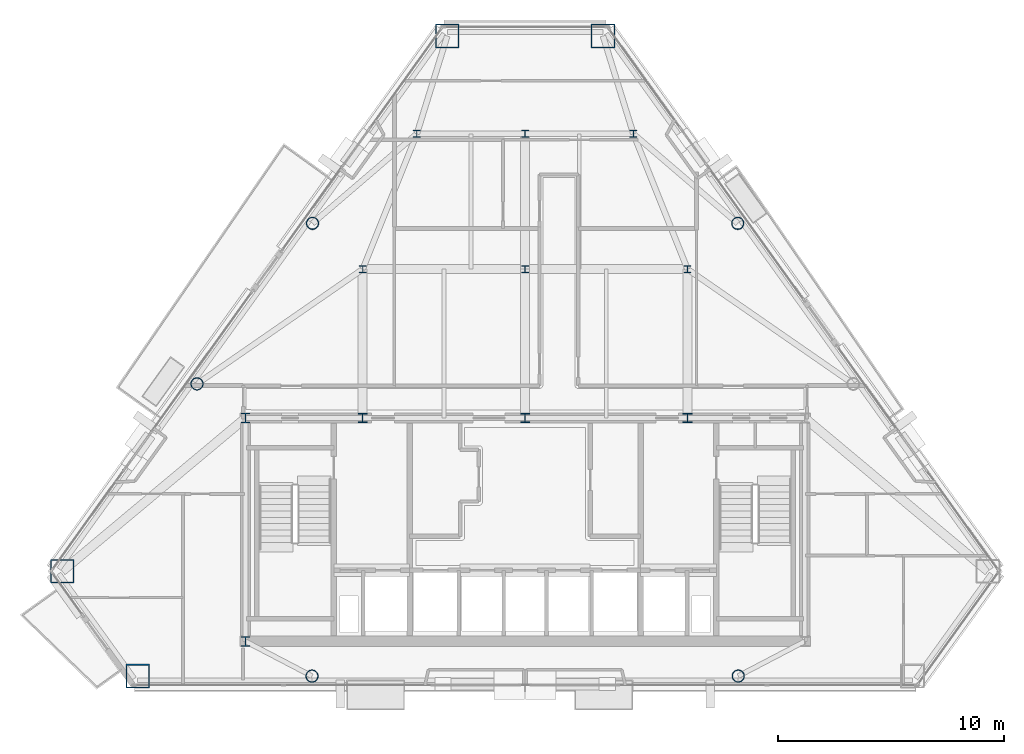
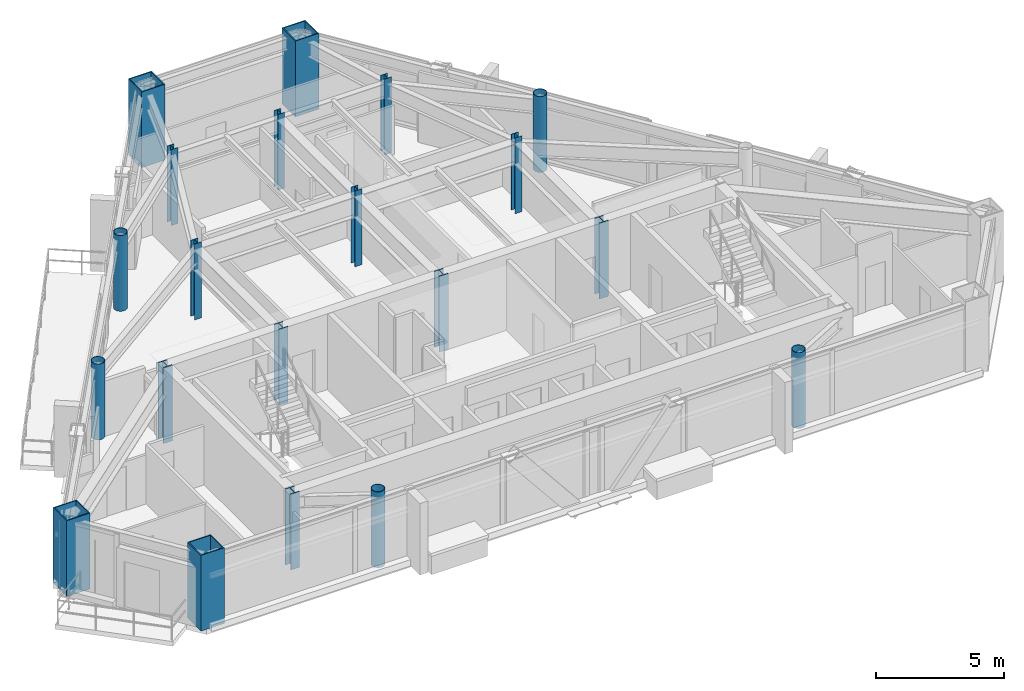
# One storey, part 1 of 12: 20 columns.
"""IFC4 building model written with IfcOpenShell, lengths in metres."""

from ifc_helpers import new_model, si_unit, direction, frame, origin, origin_2d, place, context, subcontext, project, spatial, hollow_rectangle, hollow_circle, i_section, extrude, material, material_profile, profile_set, type_object, element, save


model = new_model("IFC4")

# Units and contexts
model_context = context("Model", 3, precision=1e-05, world=origin(), true_north=direction((0.0, 1.0)))
body_context = subcontext(model_context, "Body", "Model", "MODEL_VIEW")
ifc_project = project(units=[si_unit("LENGTHUNIT", "METRE"), si_unit("AREAUNIT", "SQUARE_METRE"), si_unit("VOLUMEUNIT", "CUBIC_METRE"), si_unit("PLANEANGLEUNIT", "RADIAN"), si_unit("MASSUNIT", "GRAM", prefix="KILO")], contexts=[model_context])

# Site, building, storey
site_placement = place(None, origin())
site = spatial("IfcSite", under=ifc_project, at=site_placement, CompositionType="ELEMENT")
building_placement = place(site_placement, origin())
building = spatial("IfcBuilding", under=site, at=building_placement, Name="Talgorran Terracotta Tower", CompositionType="ELEMENT")
storey_placement = place(building_placement, frame((0.0, 0.0, 189.300048828125)))
storey = spatial("IfcBuildingStorey", under=building, at=storey_placement, Name="L49", CompositionType="ELEMENT", Elevation=189.300048828125)

# Columns
ifc_material_1 = material(Name="Steel S355 (300PLUS)", Category="steel")
ifc_material_profile_1 = material_profile(ifc_material_1, i_section(OverallWidth=0.306884765625, OverallDepth=0.314453125, WebThickness=0.011962890625, FlangeThickness=0.018798828125, at=origin_2d()), Name="310UC118")
ifc_profile_set_1 = profile_set([ifc_material_profile_1], Name="Steel S355 (300PLUS)")
column_type_1 = type_object("IfcColumnType", Name="COL_310UC118", PredefinedType="COLUMN", material=ifc_profile_set_1)
for number, where, z_axis, x_axis, name in (
    (1, (-7.199951171875, 2.39990234375, 0.0), (0.0, 0.0, 1.0), (1.0, 0.0, 0.0), "L49 Interior Gravity Column IC1"),
    (2, (0.0, 2.39990234375, 0.0), (0.0, 0.0, 1.0), (1.0, 0.0, 0.0), "L49 Interior Gravity Column IC2"),
    (3, (7.199951171875, 2.39990234375, 0.0), (0.0, 0.0, 1.0), (1.0, 0.0, 0.0), "L49 Interior Gravity Column IC3"),
    (4, (-4.800048828125, 8.39990234375, 0.0), (0.0, 0.0, 1.0), (1.0, 0.0, 0.0), "L49 Interior Gravity Column IC4"),
    (5, (0.0, 8.39990234375, 0.0), (0.0, 0.0, 1.0), (1.0, 0.0, 0.0), "L49 Interior Gravity Column IC5"),
    (6, (4.800048828125, 8.39990234375, 0.0), (0.0, 0.0, 1.0), (1.0, 0.0, 0.0), "L49 Interior Gravity Column IC6"),
):
    element("IfcColumn", number, at=place(storey_placement, frame(where, z_axis=z_axis, x_axis=x_axis)), inside=storey, type_object=column_type_1, Name=name, PredefinedType="COLUMN", context=body_context, shape_type="SweptSolid", body=[
        extrude(i_section(OverallWidth=0.306884765625, OverallDepth=0.314453125, WebThickness=0.011962890625, FlangeThickness=0.018798828125, at=origin_2d()), origin(), (0.0, 0.0, 1.0), 3.599853515625),
    ])
ifc_material_profile_2 = material_profile(ifc_material_1, i_section(OverallWidth=0.39990234375, OverallDepth=0.43994140625, WebThickness=0.028076171875, FlangeThickness=0.0400390625, at=origin_2d()), Name="400WC328")
ifc_profile_set_2 = profile_set([ifc_material_profile_2], Name="Steel S355 (300PLUS)")
column_type_2 = type_object("IfcColumnType", Name="COL_400WC328", PredefinedType="COLUMN", material=ifc_profile_set_2)
for number, where, z_axis, x_axis, name in (
    (7, (-12.39990234375, -14.10009765625, 0.0), (0.0, 0.0, 1.0), (1.0, 0.0, 0.0), "L49 Core Boundary Column CC1"),
    (8, (-12.39990234375, -4.199951171875, 0.0), (0.0, 0.0, 1.0), (1.0, 0.0, 0.0), "L49 Core Boundary Column CC4"),
):
    element("IfcColumn", number, at=place(storey_placement, frame(where, z_axis=z_axis, x_axis=x_axis)), inside=storey, type_object=column_type_2, Name=name, PredefinedType="COLUMN", context=body_context, shape_type="SweptSolid", body=[
        extrude(i_section(OverallWidth=0.39990234375, OverallDepth=0.43994140625, WebThickness=0.028076171875, FlangeThickness=0.0400390625, at=origin_2d()), origin(), (0.0, 0.0, 1.0), 3.599853515625),
    ])
ifc_material_2 = material(Name="Steel Grade 350 (350L0)", Category="steel")
ifc_material_profile_3 = material_profile(ifc_material_2, hollow_rectangle(XDim=1.050048828125, YDim=1.050048828125, WallThickness=0.044921875, at=origin_2d()), Name="CFT1050X1050X45")
ifc_profile_set_3 = profile_set([ifc_material_profile_3], Name="Steel Grade 350 (350L0)")
column_type_3 = type_object("IfcColumnType", Name="COL_CFT_1050", PredefinedType="COLUMN", material=ifc_profile_set_3)
for number, where, z_axis, x_axis, name in (
    (9, (-20.524169921875, -10.9921875, 0.0), (0.0, 0.0, 1.0), (1.0, 0.0, 0.0), "L49 Corner CFT Mega-Column MC1"),
    (10, (-17.1796875, -15.64111328125, 0.0), (0.0, 0.0, 1.0), (1.0, 0.0, 0.0), "L49 Corner CFT Mega-Column MC2"),
    (11, (3.4521484375, 12.73876953125, 0.0), (0.0, 0.0, 1.0), (1.0, 0.0, 0.0), "L49 Corner CFT Mega-Column MC5"),
    (12, (-3.4521484375, 12.73876953125, 0.0), (0.0, 0.0, 1.0), (1.0, 0.0, 0.0), "L49 Corner CFT Mega-Column MC6"),
):
    element("IfcColumn", number, at=place(storey_placement, frame(where, z_axis=z_axis, x_axis=x_axis)), inside=storey, type_object=column_type_3, Name=name, PredefinedType="COLUMN", context=body_context, shape_type="SweptSolid", body=[
        extrude(hollow_rectangle(XDim=1.050048828125, YDim=1.050048828125, WallThickness=0.044921875, at=origin_2d()), origin(), (0.0, 0.0, 1.0), 3.599853515625),
    ])
ifc_material_profile_4 = material_profile(ifc_material_2, hollow_circle(Radius=0.27490234375, WallThickness=0.02392578125, at=origin_2d()), Name="CHS550X24")
ifc_profile_set_4 = profile_set([ifc_material_profile_4], Name="Steel Grade 350 (350L0)")
column_type_4 = type_object("IfcColumnType", Name="COL_CHS_550", PredefinedType="COLUMN", material=ifc_profile_set_4)
for number, where, z_axis, x_axis, name in (
    (13, (-9.44873046875, -15.64111328125, 0.0), (0.0, 0.0, 1.0), (1.0, 0.0, 0.0), "L49 Facet Perimeter Column FC1"),
    (14, (9.44873046875, -15.64111328125, 0.0), (0.0, 0.0, 1.0), (1.0, 0.0, 0.0), "L49 Facet Perimeter Column FC2"),
    (15, (9.42724609375, 4.43310546875, 0.0), (0.0, 0.0, 1.0), (1.0, 0.0, 0.0), "L49 Facet Perimeter Column FC4"),
    (16, (-9.42724609375, 4.43310546875, 0.0), (0.0, 0.0, 1.0), (1.0, 0.0, 0.0), "L49 Facet Perimeter Column FC5"),
    (17, (-14.548828125, -2.686279296875, 0.0), (0.0, 0.0, 1.0), (1.0, 0.0, 0.0), "L49 Facet Perimeter Column FC6"),
):
    element("IfcColumn", number, at=place(storey_placement, frame(where, z_axis=z_axis, x_axis=x_axis)), inside=storey, type_object=column_type_4, Name=name, PredefinedType="COLUMN", context=body_context, shape_type="SweptSolid", body=[
        extrude(hollow_circle(Radius=0.27490234375, WallThickness=0.02392578125, at=origin_2d()), origin(), (0.0, 0.0, 1.0), 3.599853515625),
    ])
ifc_material_profile_5 = material_profile(ifc_material_1, i_section(OverallWidth=0.405029296875, OverallDepth=0.4140625, WebThickness=0.02197265625, FlangeThickness=0.031982421875, at=origin_2d()), Name="400WC270")
ifc_profile_set_5 = profile_set([ifc_material_profile_5], Name="Steel S355 (300PLUS)")
column_type_5 = type_object("IfcColumnType", Name="COL_PIL_400WC270", PredefinedType="PILASTER", material=ifc_profile_set_5)
for number, where, z_axis, x_axis, name in (
    (18, (-7.199951171875, -4.199951171875, 0.0), (0.0, 0.0, 1.0), (1.0, 0.0, 0.0), "L49 Core Shear Pilaster CP1"),
    (19, (0.0, -4.199951171875, 0.0), (0.0, 0.0, 1.0), (1.0, 0.0, 0.0), "L49 Core Shear Pilaster CP2"),
    (20, (7.199951171875, -4.199951171875, 0.0), (0.0, 0.0, 1.0), (1.0, 0.0, 0.0), "L49 Core Shear Pilaster CP3"),
):
    element("IfcColumn", number, at=place(storey_placement, frame(where, z_axis=z_axis, x_axis=x_axis)), inside=storey, type_object=column_type_5, Name=name, PredefinedType="PILASTER", context=body_context, shape_type="SweptSolid", body=[
        extrude(i_section(OverallWidth=0.405029296875, OverallDepth=0.4140625, WebThickness=0.02197265625, FlangeThickness=0.031982421875, at=origin_2d()), origin(), (0.0, 0.0, 1.0), 3.599853515625),
    ])

save(model, "model.ifc")
